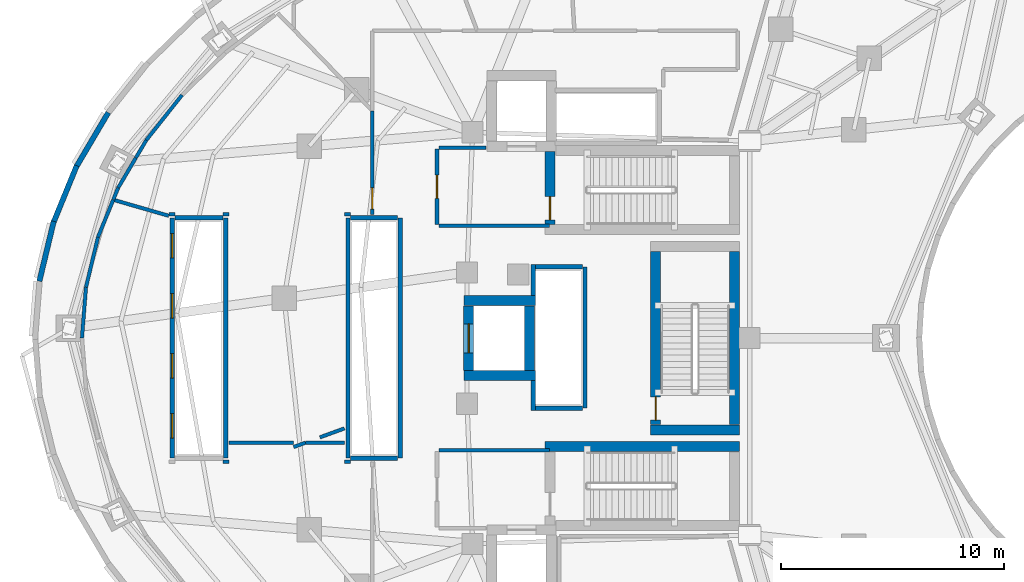
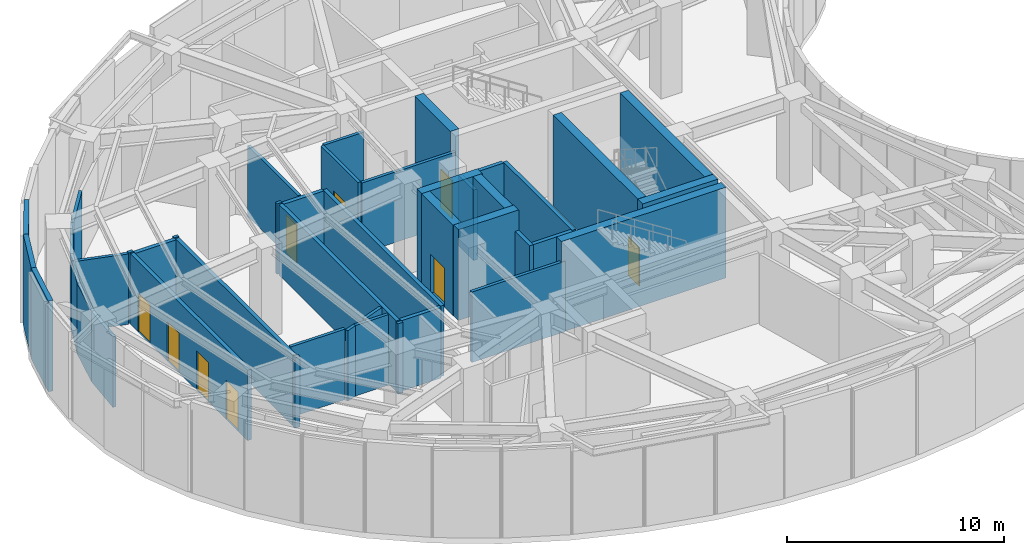
# One storey, part 5 of 10: 46 walls, 9 doors, 9 openings.
"""IFC4 building model written with IfcOpenShell, lengths in metres."""

from ifc_helpers import new_model, si_unit, direction, frame, frame_2d, origin, place, context, subcontext, project, spatial, rectangle, extrude, material, layer, layer_set, type_object, element, fill, save


model = new_model("IFC4")

# Units and contexts
model_context = context("Model", 3, precision=1e-05, world=origin(), true_north=direction((0.0, 1.0)))
body_context = subcontext(model_context, "Body", "Model", "MODEL_VIEW")
ifc_project = project(units=[si_unit("LENGTHUNIT", "METRE"), si_unit("AREAUNIT", "SQUARE_METRE"), si_unit("VOLUMEUNIT", "CUBIC_METRE"), si_unit("PLANEANGLEUNIT", "RADIAN"), si_unit("MASSUNIT", "GRAM", prefix="KILO")], contexts=[model_context])

# Site, building, storey
site_placement = place(None, origin())
site = spatial("IfcSite", under=ifc_project, at=site_placement, CompositionType="ELEMENT")
building_placement = place(site_placement, origin())
building = spatial("IfcBuilding", under=site, at=building_placement, Name="Korentha Bioscience Tower", CompositionType="ELEMENT")
storey_placement = place(building_placement, frame((0.0, 0.0, 84.60009765625)))
storey = spatial("IfcBuildingStorey", under=building, at=storey_placement, Name="L19", CompositionType="ELEMENT", Elevation=84.60009765625)

# Wall, opening, door
ifc_material_1 = material(Name="Gypsum-Clad Steel Stud", Category="steel")
ifc_layer_1 = layer(ifc_material_1, 0.159912109375, Name="Gypsum-Clad Steel Stud")
ifc_layer_set_1 = layer_set([ifc_layer_1], Name="Gypsum-Clad Steel Stud (IW-C160)")
wall_type_1 = type_object("IfcWallType", Name="Fire-Rated Corridor Partition Wall 160", PredefinedType="PARTITIONING", material=ifc_layer_set_1)
wall_1_placement = place(storey_placement, frame((23.5, 32.10009765625, 0.0), z_axis=(0.0, 0.0, 1.0), x_axis=(0.0, 1.0, 0.0)))
wall_1 = element("IfcWall", 1, at=wall_1_placement, inside=storey, type_object=wall_type_1, Name="L19 FFLN-CW Rated Enclosure Wall", PredefinedType="PARTITIONING", context=body_context, shape_type="SweptSolid", body=[
    extrude(rectangle(XDim=3.39990234375, YDim=0.159912109375, at=frame_2d((1.699951171875, 0.0))), origin(), (0.0, 0.0, 1.0), 3.9599609375),
])
opening_1_placement = place(wall_1_placement, frame((1.175048828125, 0.0, 0.0)))
opening_1 = element("IfcOpeningElement", 2, at=opening_1_placement, cuts=wall_1, Name="Opening FD-90R", PredefinedType="OPENING", context=body_context, shape_type="SweptSolid", body=[
    extrude(rectangle(XDim=1.050048828125, YDim=2.14990234375, at=frame_2d((0.52490234375, 1.074951171875))), frame((0.0, 0.0947265625, 0.0), z_axis=(0.0, -1.0, 0.0), x_axis=(1.0, 0.0, 0.0)), (0.0, 0.0, 1.0), 0.189697265625),
])
ifc_material_2 = material(Name="Powder-Coated Fire-Rated Steel", Category="steel")
door_type_1 = type_object("IfcDoorType", Name="Stairwell Fire Exit Door 1050x2150 Right", OperationType="SINGLE_SWING_RIGHT", PredefinedType="DOOR", material=ifc_material_2)
door_1_placement = place(opening_1_placement, origin())
door_1 = element("IfcDoor", 3, at=door_1_placement, inside=storey, type_object=door_type_1, Name="L19 North Firefighting Lobby Door", OperationType="SINGLE_SWING_RIGHT", OverallHeight=2.14990234375, OverallWidth=1.050048828125, PredefinedType="DOOR", context=body_context, shape_type="SweptSolid", body=[
    extrude(rectangle(XDim=1.050048828125, YDim=2.14990234375, at=frame_2d((0.52490234375, 1.074951171875))), frame((0.0, 0.02490234375, 0.0), z_axis=(0.0, -1.0, 0.0), x_axis=(1.0, 0.0, 0.0)), (0.0, 0.0, 1.0), 0.050048828125),
])
fill(opening_1, door_1)

# Walls
wall_2_placement = place(storey_placement, frame((23.580078125, 32.050048828125, 0.0), z_axis=(0.0, 0.0, 1.0), x_axis=(1.0, 0.0, 0.0)))
element("IfcWall", 4, at=wall_2_placement, inside=storey, type_object=wall_type_1, Name="L19 Firefighting Lobby Return Wall FFLN-S", PredefinedType="PARTITIONING", context=body_context, shape_type="SweptSolid", body=[
    extrude(rectangle(XDim=4.969970703125, YDim=0.159912109375, at=frame_2d((2.48486328125, 0.0))), origin(), (0.0, 0.0, 1.0), 3.9599609375),
])
wall_3_placement = place(storey_placement, frame((23.580078125, 35.550048828125, 0.0), z_axis=(0.0, 0.0, 1.0), x_axis=(1.0, 0.0, 0.0)))
element("IfcWall", 5, at=wall_3_placement, inside=storey, type_object=wall_type_1, Name="L19 Firefighting Lobby Return Wall FFLN-N", PredefinedType="PARTITIONING", context=body_context, shape_type="SweptSolid", body=[
    extrude(rectangle(XDim=2.119873046875, YDim=0.159912109375, at=frame_2d((1.06005859375, 0.0))), origin(), (0.0, 0.0, 1.0), 3.9599609375),
])
wall_4_placement = place(storey_placement, frame((23.580078125, 21.949951171875, 0.0), z_axis=(0.0, 0.0, 1.0), x_axis=(1.0, 0.0, 0.0)))
element("IfcWall", 6, at=wall_4_placement, inside=storey, type_object=wall_type_1, Name="L19 Firefighting Lobby Return Wall FFLS-N", PredefinedType="PARTITIONING", context=body_context, shape_type="SweptSolid", body=[
    extrude(rectangle(XDim=4.969970703125, YDim=0.159912109375, at=frame_2d((2.48486328125, 0.0))), origin(), (0.0, 0.0, 1.0), 3.9599609375),
])

# Wall, opening, door
wall_5_placement = place(storey_placement, frame((20.590087890625, 37.213623046875, 0.0), z_axis=(0.0, 0.0, 1.0), x_axis=(0.0, -1.0, 0.0)))
wall_5 = element("IfcWall", 7, at=wall_5_placement, inside=storey, type_object=wall_type_1, Name="L19 High-Plume Exhaust Scrubbing Air Plant 06 Entrance Wall", PredefinedType="PARTITIONING", context=body_context, shape_type="SweptSolid", body=[
    extrude(rectangle(XDim=4.653564453125, YDim=0.159912109375, at=frame_2d((2.32666015625, 0.0))), origin(), (0.0, 0.0, 1.0), 3.9599609375),
])
opening_2_placement = place(wall_5_placement, frame((3.463623046875, 0.0, 0.0)))
opening_2 = element("IfcOpeningElement", 8, at=opening_2_placement, cuts=wall_5, Name="Opening FD-120D", PredefinedType="OPENING", context=body_context, shape_type="SweptSolid", body=[
    extrude(rectangle(XDim=0.949951171875, YDim=2.14990234375, at=frame_2d((0.47509765625, 1.074951171875))), frame((0.0, 0.0947265625, 0.0), z_axis=(0.0, -1.0, 0.0), x_axis=(1.0, 0.0, 0.0)), (0.0, 0.0, 1.0), 0.189697265625),
])
ifc_material_3 = material(Name="Heavy-Duty Insulated Steel", Category="steel")
door_type_2 = type_object("IfcDoorType", Name="Plant & Riser Fire Door 950x2150 Left", OperationType="SINGLE_SWING_LEFT", PredefinedType="DOOR", material=ifc_material_3)
door_2_placement = place(opening_2_placement, origin())
door_2 = element("IfcDoor", 9, at=door_2_placement, inside=storey, type_object=door_type_2, Name="L19 High-Plume Exhaust Scrubbing Air Plant 06 Door", OperationType="SINGLE_SWING_LEFT", OverallHeight=2.14990234375, OverallWidth=0.949951171875, PredefinedType="DOOR", context=body_context, shape_type="SweptSolid", body=[
    extrude(rectangle(XDim=0.949951171875, YDim=2.14990234375, at=frame_2d((0.47509765625, 1.074951171875))), frame((0.0, 0.02490234375, 0.0), z_axis=(0.0, -1.0, 0.0), x_axis=(1.0, 0.0, 0.0)), (0.0, 0.0, 1.0), 0.050048828125),
])
fill(opening_2, door_2)

# Walls
wall_6_placement = place(storey_placement, frame((7.541015625, 27.0, 0.0), z_axis=(0.0, 0.0, 1.0), x_axis=(0.07910116698, 0.996866593573, 0.0)))
element("IfcWall", 10, at=wall_6_placement, inside=storey, type_object=wall_type_1, Name="L19 Interior Partition 007", PredefinedType="PARTITIONING", context=body_context, shape_type="SweptSolid", body=[
    extrude(rectangle(XDim=2.2900390625, YDim=0.159912109375, at=frame_2d((1.14501953125, 0.0))), origin(), (0.0, 0.0, 1.0), 3.9599609375),
])
wall_7_placement = place(storey_placement, frame((7.72216796875, 29.283203125, 0.0), z_axis=(0.0, 0.0, 1.0), x_axis=(0.233654937946, 0.972319582222, 0.0)))
element("IfcWall", 11, at=wall_7_placement, inside=storey, type_object=wall_type_1, Name="L19 Interior Partition 008", PredefinedType="PARTITIONING", context=body_context, shape_type="SweptSolid", body=[
    extrude(rectangle(XDim=2.324951171875, YDim=0.159912109375, at=frame_2d((1.16259765625, 0.0))), origin(), (0.0, 0.0, 1.0), 3.9599609375),
])
wall_8_placement = place(storey_placement, frame((8.265625, 31.5439453125, 0.0), z_axis=(0.0, 0.0, 1.0), x_axis=(0.378374816085, 0.925652471802, 0.0)))
element("IfcWall", 12, at=wall_8_placement, inside=storey, type_object=wall_type_1, Name="L19 Interior Partition 009", PredefinedType="PARTITIONING", context=body_context, shape_type="SweptSolid", body=[
    extrude(rectangle(XDim=1.805419921875, YDim=0.159912109375, at=frame_2d((0.90283203125, 0.0))), origin(), (0.0, 0.0, 1.0), 3.9599609375),
])
wall_9_placement = place(storey_placement, frame((8.948974609375, 33.215087890625, 0.0), z_axis=(0.0, 0.0, 1.0), x_axis=(0.960827931487, -0.277145604466, 0.0)))
element("IfcWall", 13, at=wall_9_placement, inside=storey, type_object=wall_type_1, Name="L19 Interior Partition 010", PredefinedType="PARTITIONING", context=body_context, shape_type="SweptSolid", body=[
    extrude(rectangle(XDim=2.592529296875, YDim=0.159912109375, at=frame_2d((1.29638671875, 0.0))), origin(), (0.0, 0.0, 1.0), 3.9599609375),
])
wall_10_placement = place(storey_placement, frame((13.8798828125, 21.43994140625, 0.0), z_axis=(0.0, 0.0, 1.0), x_axis=(1.0, 0.0, 0.0)))
element("IfcWall", 14, at=wall_10_placement, inside=storey, type_object=wall_type_1, Name="L19 Interior Partition 012", PredefinedType="PARTITIONING", context=body_context, shape_type="SweptSolid", body=[
    extrude(rectangle(XDim=0.27001953125, YDim=0.159912109375, at=frame_2d((0.135009765625, 0.0))), origin(), (0.0, 0.0, 1.0), 3.9599609375),
])
wall_11_placement = place(storey_placement, frame((14.16015625, 22.298095703125, 0.0), z_axis=(0.0, 0.0, 1.0), x_axis=(1.0, 0.0, 0.0)))
element("IfcWall", 15, at=wall_11_placement, inside=storey, type_object=wall_type_1, Name="L19 Interior Partition 013", PredefinedType="PARTITIONING", context=body_context, shape_type="SweptSolid", body=[
    extrude(rectangle(XDim=2.8876953125, YDim=0.159912109375, at=frame_2d((1.44384765625, 0.0))), origin(), (0.0, 0.0, 1.0), 3.9599609375),
])
wall_12_placement = place(storey_placement, frame((17.053466796875, 22.103759765625, 0.0), z_axis=(0.0, 0.0, 1.0), x_axis=(0.93978087077, 0.34177758109, 0.0)))
element("IfcWall", 16, at=wall_12_placement, inside=storey, type_object=wall_type_1, Name="L19 Interior Partition 014", PredefinedType="PARTITIONING", context=body_context, shape_type="SweptSolid", body=[
    extrude(rectangle(XDim=0.56787109375, YDim=0.159912109375, at=frame_2d((0.283935546875, 0.0))), origin(), (0.0, 0.0, 1.0), 3.9599609375),
])
wall_13_placement = place(storey_placement, frame((17.58740234375, 22.298095703125, 0.0), z_axis=(0.0, 0.0, 1.0), x_axis=(1.0, 0.0, 0.0)))
element("IfcWall", 17, at=wall_13_placement, inside=storey, type_object=wall_type_1, Name="L19 Interior Partition 015", PredefinedType="PARTITIONING", context=body_context, shape_type="SweptSolid", body=[
    extrude(rectangle(XDim=1.75244140625, YDim=0.159912109375, at=frame_2d((0.876220703125, 0.0))), origin(), (0.0, 0.0, 1.0), 3.9599609375),
])
wall_14_placement = place(storey_placement, frame((19.35009765625, 21.43994140625, 0.0), z_axis=(0.0, 0.0, 1.0), x_axis=(1.0, 0.0, 0.0)))
element("IfcWall", 18, at=wall_14_placement, inside=storey, type_object=wall_type_1, Name="L19 Interior Partition 016", PredefinedType="PARTITIONING", context=body_context, shape_type="SweptSolid", body=[
    extrude(rectangle(XDim=0.27001953125, YDim=0.159912109375, at=frame_2d((0.135009765625, 0.0))), origin(), (0.0, 0.0, 1.0), 3.9599609375),
])
wall_15_placement = place(storey_placement, frame((9.17041015625, 33.757080078125, 0.0), z_axis=(0.0, 0.0, 1.0), x_axis=(0.508116288895, 0.861288474879, 0.0)))
element("IfcWall", 19, at=wall_15_placement, inside=storey, type_object=wall_type_1, Name="L19 Interior Partition 065", PredefinedType="PARTITIONING", context=body_context, shape_type="SweptSolid", body=[
    extrude(rectangle(XDim=1.556640625, YDim=0.159912109375, at=frame_2d((0.7783203125, 0.0))), origin(), (0.0, 0.0, 1.0), 3.9599609375),
])
wall_16_placement = place(storey_placement, frame((9.964111328125, 35.102294921875, 0.0), z_axis=(0.0, 0.0, 1.0), x_axis=(0.508192213781, 0.861243678556, 0.0)))
element("IfcWall", 20, at=wall_16_placement, inside=storey, type_object=wall_type_1, Name="L19 Interior Partition 066", PredefinedType="PARTITIONING", context=body_context, shape_type="SweptSolid", body=[
    extrude(rectangle(XDim=0.9189453125, YDim=0.159912109375, at=frame_2d((0.45947265625, 0.0))), origin(), (0.0, 0.0, 1.0), 3.9599609375),
])
wall_17_placement = place(storey_placement, frame((10.431396484375, 35.894287109375, 0.0), z_axis=(0.0, 0.0, 1.0), x_axis=(0.621019334477, 0.783795245078, 0.0)))
element("IfcWall", 21, at=wall_17_placement, inside=storey, type_object=wall_type_1, Name="L19 Interior Partition 067", PredefinedType="PARTITIONING", context=body_context, shape_type="SweptSolid", body=[
    extrude(rectangle(XDim=2.5888671875, YDim=0.159912109375, at=frame_2d((1.29443359375, 0.0))), origin(), (0.0, 0.0, 1.0), 3.9599609375),
])
wall_18_placement = place(storey_placement, frame((19.6201171875, 32.56005859375, 0.0), z_axis=(0.0, 0.0, 1.0), x_axis=(-1.0, 0.0, 0.0)))
element("IfcWall", 22, at=wall_18_placement, inside=storey, type_object=wall_type_1, Name="L19 Interior Partition 071", PredefinedType="PARTITIONING", context=body_context, shape_type="SweptSolid", body=[
    extrude(rectangle(XDim=0.27001953125, YDim=0.159912109375, at=frame_2d((0.135009765625, 0.0))), origin(), (0.0, 0.0, 1.0), 3.9599609375),
])
wall_19_placement = place(storey_placement, frame((19.33984375, 22.940185546875, 0.0), z_axis=(0.0, 0.0, 1.0), x_axis=(-0.939714591609, -0.341959772952, 0.0)))
element("IfcWall", 23, at=wall_19_placement, inside=storey, type_object=wall_type_1, Name="L19 Interior Partition 072", PredefinedType="PARTITIONING", context=body_context, shape_type="SweptSolid", body=[
    extrude(rectangle(XDim=1.17578125, YDim=0.159912109375, at=frame_2d((0.587890625, 0.0))), origin(), (0.0, 0.0, 1.0), 3.9599609375),
])
wall_20_placement = place(storey_placement, frame((14.14990234375, 32.56005859375, 0.0), z_axis=(0.0, 0.0, 1.0), x_axis=(-1.0, 0.0, 0.0)))
element("IfcWall", 24, at=wall_20_placement, inside=storey, type_object=wall_type_1, Name="L19 Interior Partition 073", PredefinedType="PARTITIONING", context=body_context, shape_type="SweptSolid", body=[
    extrude(rectangle(XDim=0.27001953125, YDim=0.159912109375, at=frame_2d((0.135009765625, 0.0))), origin(), (0.0, 0.0, 1.0), 3.9599609375),
])
wall_21_placement = place(storey_placement, frame((11.719970703125, 32.56005859375, 0.0), z_axis=(0.0, 0.0, 1.0), x_axis=(-1.0, 0.0, 0.0)))
element("IfcWall", 25, at=wall_21_placement, inside=storey, type_object=wall_type_1, Name="L19 Interior Partition 074", PredefinedType="PARTITIONING", context=body_context, shape_type="SweptSolid", body=[
    extrude(rectangle(XDim=0.26171875, YDim=0.159912109375, at=frame_2d((0.130859375, 0.0))), origin(), (0.0, 0.0, 1.0), 3.9599609375),
])
wall_22_placement = place(storey_placement, frame((8.95263671875, 33.224609375, 0.0), z_axis=(0.0, 0.0, 1.0), x_axis=(0.378119955125, 0.925756609232, 0.0)))
element("IfcWall", 26, at=wall_22_placement, inside=storey, type_object=wall_type_1, Name="L19 Interior Partition 075", PredefinedType="PARTITIONING", context=body_context, shape_type="SweptSolid", body=[
    extrude(rectangle(XDim=0.57470703125, YDim=0.159912109375, at=frame_2d((0.287353515625, 0.0))), origin(), (0.0, 0.0, 1.0), 3.9599609375),
])

# Wall, openings, doors
ifc_material_4 = material(Name="Autoclaved Aerated Concrete Block C25", Category="concrete")
ifc_layer_2 = layer(ifc_material_4, 0.199951171875, Name="Autoclaved Aerated Concrete Block C25")
ifc_layer_set_2 = layer_set([ifc_layer_2], Name="Autoclaved Aerated Concrete Block C25 (IW-S200)")
wall_type_2 = type_object("IfcWallType", Name="Lift and Riser Shaft Enclosure Wall 200", PredefinedType="PARTITIONING", material=ifc_layer_set_2)
wall_23_placement = place(storey_placement, frame((11.60009765625, 21.60009765625, 0.0), z_axis=(0.0, 0.0, 1.0), x_axis=(0.0, 1.0, 0.0)))
wall_23 = element("IfcWall", 27, at=wall_23_placement, inside=storey, type_object=wall_type_2, Name="L19 Lift Bank LOW Shaft Wall -X", PredefinedType="PARTITIONING", context=body_context, shape_type="SweptSolid", body=[
    extrude(rectangle(XDim=10.7998046875, YDim=0.199951171875, at=frame_2d((5.39990234375, 0.0))), origin(), (0.0, 0.0, 1.0), 3.9599609375),
])
opening_3_placement = place(wall_23_placement, frame((0.89990234375, 0.0, 0.0)))
opening_3 = element("IfcOpeningElement", 28, at=opening_3_placement, cuts=wall_23, Name="Opening LD-11", PredefinedType="OPENING", context=body_context, shape_type="SweptSolid", body=[
    extrude(rectangle(XDim=1.10009765625, YDim=2.199951171875, at=frame_2d((0.550048828125, 1.10009765625))), frame((0.0, 0.11474609375, 0.0), z_axis=(0.0, -1.0, 0.0), x_axis=(1.0, 0.0, 0.0)), (0.0, 0.0, 1.0), 0.229736328125),
])
opening_4_placement = place(wall_23_placement, frame((3.60009765625, 0.0, 0.0)))
opening_4 = element("IfcOpeningElement", 29, at=opening_4_placement, cuts=wall_23, Name="Opening LD-11", PredefinedType="OPENING", context=body_context, shape_type="SweptSolid", body=[
    extrude(rectangle(XDim=1.10009765625, YDim=2.199951171875, at=frame_2d((0.550048828125, 1.10009765625))), frame((0.0, 0.11474609375, 0.0), z_axis=(0.0, -1.0, 0.0), x_axis=(1.0, 0.0, 0.0)), (0.0, 0.0, 1.0), 0.229736328125),
])
opening_5_placement = place(wall_23_placement, frame((6.300048828125, 0.0, 0.0)))
opening_5 = element("IfcOpeningElement", 30, at=opening_5_placement, cuts=wall_23, Name="Opening LD-11", PredefinedType="OPENING", context=body_context, shape_type="SweptSolid", body=[
    extrude(rectangle(XDim=1.10009765625, YDim=2.199951171875, at=frame_2d((0.550048828125, 1.10009765625))), frame((0.0, 0.11474609375, 0.0), z_axis=(0.0, -1.0, 0.0), x_axis=(1.0, 0.0, 0.0)), (0.0, 0.0, 1.0), 0.229736328125),
])
opening_6_placement = place(wall_23_placement, frame((9.0, 0.0, 0.0)))
opening_6 = element("IfcOpeningElement", 31, at=opening_6_placement, cuts=wall_23, Name="Opening LD-11", PredefinedType="OPENING", context=body_context, shape_type="SweptSolid", body=[
    extrude(rectangle(XDim=1.10009765625, YDim=2.199951171875, at=frame_2d((0.550048828125, 1.10009765625))), frame((0.0, 0.11474609375, 0.0), z_axis=(0.0, -1.0, 0.0), x_axis=(1.0, 0.0, 0.0)), (0.0, 0.0, 1.0), 0.229736328125),
])
ifc_material_5 = material(Name="Brushed Stainless Steel 304", Category="steel")
door_type_3 = type_object("IfcDoorType", Name="Passenger Lift Sliding Landing Door 1100x2200", OperationType="DOUBLE_DOOR_SLIDING", PredefinedType="DOOR", material=ifc_material_5)
door_3_placement = place(opening_3_placement, origin())
door_3 = element("IfcDoor", 32, at=door_3_placement, inside=storey, type_object=door_type_3, Name="L19 PL-L1 Sliding Lift Landing Door", OperationType="DOUBLE_DOOR_SLIDING", OverallHeight=2.199951171875, OverallWidth=1.10009765625, PredefinedType="DOOR", context=body_context, shape_type="SweptSolid", body=[
    extrude(rectangle(XDim=1.10009765625, YDim=2.199951171875, at=frame_2d((0.550048828125, 1.10009765625))), frame((0.0, 0.02490234375, 0.0), z_axis=(0.0, -1.0, 0.0), x_axis=(1.0, 0.0, 0.0)), (0.0, 0.0, 1.0), 0.050048828125),
])
fill(opening_3, door_3)
door_4_placement = place(opening_4_placement, origin())
door_4 = element("IfcDoor", 33, at=door_4_placement, inside=storey, type_object=door_type_3, Name="L19 PL-L2 Sliding Lift Landing Door", OperationType="DOUBLE_DOOR_SLIDING", OverallHeight=2.199951171875, OverallWidth=1.10009765625, PredefinedType="DOOR", context=body_context, shape_type="SweptSolid", body=[
    extrude(rectangle(XDim=1.10009765625, YDim=2.199951171875, at=frame_2d((0.550048828125, 1.10009765625))), frame((0.0, 0.02490234375, 0.0), z_axis=(0.0, -1.0, 0.0), x_axis=(1.0, 0.0, 0.0)), (0.0, 0.0, 1.0), 0.050048828125),
])
fill(opening_4, door_4)
door_5_placement = place(opening_5_placement, origin())
door_5 = element("IfcDoor", 34, at=door_5_placement, inside=storey, type_object=door_type_3, Name="L19 PL-L3 Sliding Lift Landing Door", OperationType="DOUBLE_DOOR_SLIDING", OverallHeight=2.199951171875, OverallWidth=1.10009765625, PredefinedType="DOOR", context=body_context, shape_type="SweptSolid", body=[
    extrude(rectangle(XDim=1.10009765625, YDim=2.199951171875, at=frame_2d((0.550048828125, 1.10009765625))), frame((0.0, 0.02490234375, 0.0), z_axis=(0.0, -1.0, 0.0), x_axis=(1.0, 0.0, 0.0)), (0.0, 0.0, 1.0), 0.050048828125),
])
fill(opening_5, door_5)
door_6_placement = place(opening_6_placement, origin())
door_6 = element("IfcDoor", 35, at=door_6_placement, inside=storey, type_object=door_type_3, Name="L19 PL-L4 Sliding Lift Landing Door", OperationType="DOUBLE_DOOR_SLIDING", OverallHeight=2.199951171875, OverallWidth=1.10009765625, PredefinedType="DOOR", context=body_context, shape_type="SweptSolid", body=[
    extrude(rectangle(XDim=1.10009765625, YDim=2.199951171875, at=frame_2d((0.550048828125, 1.10009765625))), frame((0.0, 0.02490234375, 0.0), z_axis=(0.0, -1.0, 0.0), x_axis=(1.0, 0.0, 0.0)), (0.0, 0.0, 1.0), 0.050048828125),
])
fill(opening_6, door_6)

# Walls
wall_24_placement = place(storey_placement, frame((14.0, 21.60009765625, 0.0), z_axis=(0.0, 0.0, 1.0), x_axis=(0.0, 1.0, 0.0)))
element("IfcWall", 36, at=wall_24_placement, inside=storey, type_object=wall_type_2, Name="L19 Lift Bank LOW Shaft Wall +X", PredefinedType="PARTITIONING", context=body_context, shape_type="SweptSolid", body=[
    extrude(rectangle(XDim=10.7998046875, YDim=0.199951171875, at=frame_2d((5.39990234375, 0.0))), origin(), (0.0, 0.0, 1.0), 3.9599609375),
])
wall_25_placement = place(storey_placement, frame((11.719970703125, 32.39990234375, 0.0), z_axis=(0.0, 0.0, 1.0), x_axis=(1.0, 0.0, 0.0)))
element("IfcWall", 37, at=wall_25_placement, inside=storey, type_object=wall_type_2, Name="L19 Lift Bank LOW Shaft Wall +Y", PredefinedType="PARTITIONING", context=body_context, shape_type="SweptSolid", body=[
    extrude(rectangle(XDim=2.159912109375, YDim=0.199951171875, at=frame_2d((1.080078125, 0.0))), origin(), (0.0, 0.0, 1.0), 3.9599609375),
])
for number, where, z_axis, x_axis, name in (
    (38, (19.5, 21.60009765625, 0.0), (0.0, 0.0, 1.0), (0.0, 1.0, 0.0), "L19 Lift Bank MID Shaft Wall -X"),
    (39, (21.85009765625, 21.60009765625, 0.0), (0.0, 0.0, 1.0), (0.0, 1.0, 0.0), "L19 Lift Bank MID Shaft Wall +X"),
):
    element("IfcWall", number, at=place(storey_placement, frame(where, z_axis=z_axis, x_axis=x_axis)), inside=storey, type_object=wall_type_2, Name=name, PredefinedType="PARTITIONING", context=body_context, shape_type="SweptSolid", body=[
        extrude(rectangle(XDim=10.7998046875, YDim=0.199951171875, at=frame_2d((5.39990234375, 0.0))), origin(), (0.0, 0.0, 1.0), 3.9599609375),
    ])
for number, where, z_axis, x_axis, name in (
    (40, (19.6201171875, 21.60009765625, 0.0), (0.0, 0.0, 1.0), (1.0, 0.0, 0.0), "L19 Lift Bank MID Shaft Wall -Y"),
    (41, (19.6201171875, 32.39990234375, 0.0), (0.0, 0.0, 1.0), (1.0, 0.0, 0.0), "L19 Lift Bank MID Shaft Wall +Y"),
):
    element("IfcWall", number, at=place(storey_placement, frame(where, z_axis=z_axis, x_axis=x_axis)), inside=storey, type_object=wall_type_2, Name=name, PredefinedType="PARTITIONING", context=body_context, shape_type="SweptSolid", body=[
        extrude(rectangle(XDim=2.10986328125, YDim=0.199951171875, at=frame_2d((1.054931640625, 0.0))), origin(), (0.0, 0.0, 1.0), 3.9599609375),
    ])
wall_26_placement = place(storey_placement, frame((27.830078125, 23.75, 0.0), z_axis=(0.0, 0.0, 1.0), x_axis=(0.0, 1.0, 0.0)))
element("IfcWall", 42, at=wall_26_placement, inside=storey, type_object=wall_type_2, Name="L19 Lift Bank HIGH Shaft Wall -XS", PredefinedType="PARTITIONING", context=body_context, shape_type="SweptSolid", body=[
    extrude(rectangle(XDim=1.341064453125, YDim=0.199951171875, at=frame_2d((0.67041015625, 0.0))), origin(), (0.0, 0.0, 1.0), 3.9599609375),
])
wall_27_placement = place(storey_placement, frame((27.830078125, 28.908935546875, 0.0), z_axis=(0.0, 0.0, 1.0), x_axis=(0.0, 1.0, 0.0)))
element("IfcWall", 43, at=wall_27_placement, inside=storey, type_object=wall_type_2, Name="L19 Lift Bank HIGH Shaft Wall -XN", PredefinedType="PARTITIONING", context=body_context, shape_type="SweptSolid", body=[
    extrude(rectangle(XDim=1.39111328125, YDim=0.199951171875, at=frame_2d((0.695556640625, 0.0))), origin(), (0.0, 0.0, 1.0), 3.9599609375),
])
wall_28_placement = place(storey_placement, frame((30.14990234375, 23.85009765625, 0.0), z_axis=(0.0, 0.0, 1.0), x_axis=(0.0, 1.0, 0.0)))
element("IfcWall", 44, at=wall_28_placement, inside=storey, type_object=wall_type_2, Name="L19 Lift Bank HIGH Shaft Wall +X", PredefinedType="PARTITIONING", context=body_context, shape_type="SweptSolid", body=[
    extrude(rectangle(XDim=6.349853515625, YDim=0.199951171875, at=frame_2d((3.1748046875, 0.0))), origin(), (0.0, 0.0, 1.0), 3.9599609375),
])
for number, where, z_axis, x_axis, name in (
    (45, (27.93408203125, 23.85009765625, 0.0), (0.0, 0.0, 1.0), (1.0, 0.0, 0.0), "L19 Lift Bank HIGH Shaft Wall -Y"),
    (46, (27.93408203125, 30.199951171875, 0.0), (0.0, 0.0, 1.0), (1.0, 0.0, 0.0), "L19 Lift Bank HIGH Shaft Wall +Y"),
):
    element("IfcWall", number, at=place(storey_placement, frame(where, z_axis=z_axis, x_axis=x_axis)), inside=storey, type_object=wall_type_2, Name=name, PredefinedType="PARTITIONING", context=body_context, shape_type="SweptSolid", body=[
        extrude(rectangle(XDim=2.095947265625, YDim=0.199951171875, at=frame_2d((1.0478515625, 0.0))), origin(), (0.0, 0.0, 1.0), 3.9599609375),
    ])

# Wall, opening, door
ifc_material_6 = material(Name="Concrete C80", Category="concrete")
ifc_layer_3 = layer(ifc_material_6, 0.449951171875, Name="Concrete C80")
ifc_layer_set_3 = layer_set([ifc_layer_3], Name="Concrete C80 (CW-C80)")
wall_type_3 = type_object("IfcWallType", Name="Lower Core Shear Wall 450", PredefinedType="SHEAR", material=ifc_layer_set_3)
wall_29_placement = place(storey_placement, frame((28.574951171875, 32.110107421875, 0.0), z_axis=(0.0, 0.0, 1.0), x_axis=(0.0, 1.0, 0.0)))
wall_29 = element("IfcWall", 47, at=wall_29_placement, inside=storey, type_object=wall_type_3, Name="L19 Core Shear Wall ST1-W", PredefinedType="SHEAR", context=body_context, shape_type="SweptSolid", body=[
    extrude(rectangle(XDim=3.282958984375, YDim=0.449951171875, at=frame_2d((1.6416015625, 0.0))), origin(), (0.0, 0.0, 1.0), 5.099853515625),
])
opening_7_placement = place(wall_29_placement, frame((0.199951171875, 0.0, 0.0)))
opening_7 = element("IfcOpeningElement", 48, at=opening_7_placement, cuts=wall_29, Name="Opening FD-90R", PredefinedType="OPENING", context=body_context, shape_type="SweptSolid", body=[
    extrude(rectangle(XDim=1.050048828125, YDim=2.14990234375, at=frame_2d((0.52490234375, 1.074951171875))), frame((0.0, 0.23974609375, 0.0), z_axis=(0.0, -1.0, 0.0), x_axis=(1.0, 0.0, 0.0)), (0.0, 0.0, 1.0), 0.479736328125),
])
door_7_placement = place(opening_7_placement, origin())
door_7 = element("IfcDoor", 49, at=door_7_placement, inside=storey, type_object=door_type_1, Name="L19 ST-1 Fire Exit Stair Door", OperationType="SINGLE_SWING_RIGHT", OverallHeight=2.14990234375, OverallWidth=1.050048828125, PredefinedType="DOOR", context=body_context, shape_type="SweptSolid", body=[
    extrude(rectangle(XDim=1.050048828125, YDim=2.14990234375, at=frame_2d((0.52490234375, 1.074951171875))), frame((0.0, 0.02490234375, 0.0), z_axis=(0.0, -1.0, 0.0), x_axis=(1.0, 0.0, 0.0)), (0.0, 0.0, 1.0), 0.050048828125),
])
fill(opening_7, door_7)

# Walls
wall_30_placement = place(storey_placement, frame((28.35009765625, 22.125, 0.0), z_axis=(0.0, 0.0, 1.0), x_axis=(1.0, 0.0, 0.0)))
element("IfcWall", 50, at=wall_30_placement, inside=storey, type_object=wall_type_3, Name="L19 Core Shear Wall ST2-N", PredefinedType="SHEAR", context=body_context, shape_type="SweptSolid", body=[
    extrude(rectangle(XDim=8.75, YDim=0.449951171875, at=frame_2d((4.375, 0.0))), origin(), (0.0, 0.0, 1.0), 5.099853515625),
])
wall_31_placement = place(storey_placement, frame((33.10009765625, 22.875, 0.0), z_axis=(0.0, 0.0, 1.0), x_axis=(1.0, 0.0, 0.0)))
element("IfcWall", 51, at=wall_31_placement, inside=storey, type_object=wall_type_3, Name="L19 Core Shear Wall ST3-S", PredefinedType="SHEAR", context=body_context, shape_type="SweptSolid", body=[
    extrude(rectangle(XDim=4.0, YDim=0.449951171875, at=frame_2d((2.0, 0.0))), origin(), (0.0, 0.0, 1.0), 5.099853515625),
])
wall_32_placement = place(storey_placement, frame((36.875, 23.110107421875, 0.0), z_axis=(0.0, 0.0, 1.0), x_axis=(0.0, 1.0, 0.0)))
element("IfcWall", 52, at=wall_32_placement, inside=storey, type_object=wall_type_3, Name="L19 Core Shear Wall ST3-E", PredefinedType="SHEAR", context=body_context, shape_type="SweptSolid", body=[
    extrude(rectangle(XDim=7.77978515625, YDim=0.449951171875, at=frame_2d((3.889892578125, 0.0))), origin(), (0.0, 0.0, 1.0), 5.099853515625),
])

# Wall, opening, door
wall_33_placement = place(storey_placement, frame((33.324951171875, 23.110107421875, 0.0), z_axis=(0.0, 0.0, 1.0), x_axis=(0.0, 1.0, 0.0)))
wall_33 = element("IfcWall", 53, at=wall_33_placement, inside=storey, type_object=wall_type_3, Name="L19 Core Shear Wall ST3-W", PredefinedType="SHEAR", context=body_context, shape_type="SweptSolid", body=[
    extrude(rectangle(XDim=7.77978515625, YDim=0.449951171875, at=frame_2d((3.889892578125, 0.0))), origin(), (0.0, 0.0, 1.0), 5.099853515625),
])
opening_8_placement = place(wall_33_placement, frame((0.199951171875, 0.0, 0.0)))
opening_8 = element("IfcOpeningElement", 54, at=opening_8_placement, cuts=wall_33, Name="Opening FD-90R", PredefinedType="OPENING", context=body_context, shape_type="SweptSolid", body=[
    extrude(rectangle(XDim=1.050048828125, YDim=2.14990234375, at=frame_2d((0.52490234375, 1.074951171875))), frame((0.0, 0.23974609375, 0.0), z_axis=(0.0, -1.0, 0.0), x_axis=(1.0, 0.0, 0.0)), (0.0, 0.0, 1.0), 0.479736328125),
])
door_8_placement = place(opening_8_placement, origin())
door_8 = element("IfcDoor", 55, at=door_8_placement, inside=storey, type_object=door_type_1, Name="L19 ST-3 Fire Exit Stair Door", OperationType="SINGLE_SWING_RIGHT", OverallHeight=2.14990234375, OverallWidth=1.050048828125, PredefinedType="DOOR", context=body_context, shape_type="SweptSolid", body=[
    extrude(rectangle(XDim=1.050048828125, YDim=2.14990234375, at=frame_2d((0.52490234375, 1.074951171875))), frame((0.0, 0.02490234375, 0.0), z_axis=(0.0, -1.0, 0.0), x_axis=(1.0, 0.0, 0.0)), (0.0, 0.0, 1.0), 0.050048828125),
])
fill(opening_8, door_8)

# Walls
for number, where, z_axis, x_axis, name in (
    (56, (24.719970703125, 28.679931640625, 0.0), (0.0, 0.0, 1.0), (1.0, 0.0, 0.0), "L19 Core Shear Wall SVL1-N"),
    (57, (24.719970703125, 25.320068359375, 0.0), (0.0, 0.0, 1.0), (1.0, 0.0, 0.0), "L19 Core Shear Wall SVL1-S"),
):
    element("IfcWall", number, at=place(storey_placement, frame(where, z_axis=z_axis, x_axis=x_axis)), inside=storey, type_object=wall_type_3, Name=name, PredefinedType="SHEAR", context=body_context, shape_type="SweptSolid", body=[
        extrude(rectangle(XDim=3.2099609375, YDim=0.449951171875, at=frame_2d((1.60498046875, 0.0))), origin(), (0.0, 0.0, 1.0), 5.099853515625),
    ])

# Wall, opening, door
wall_34_placement = place(storey_placement, frame((24.919921875, 25.547119140625, 0.0), z_axis=(0.0, 0.0, 1.0), x_axis=(0.0, 1.0, 0.0)))
wall_34 = element("IfcWall", 58, at=wall_34_placement, inside=storey, type_object=wall_type_3, Name="L19 Core Shear Wall SVL1-W", PredefinedType="SHEAR", context=body_context, shape_type="SweptSolid", body=[
    extrude(rectangle(XDim=2.90576171875, YDim=0.449951171875, at=frame_2d((1.452880859375, 0.0))), origin(), (0.0, 0.0, 1.0), 5.099853515625),
])
opening_9_placement = place(wall_34_placement, frame((0.7900390625, 0.0, 0.0)))
opening_9 = element("IfcOpeningElement", 59, at=opening_9_placement, cuts=wall_34, Name="Opening LD-13", PredefinedType="OPENING", context=body_context, shape_type="SweptSolid", body=[
    extrude(rectangle(XDim=1.300048828125, YDim=2.199951171875, at=frame_2d((0.64990234375, 1.10009765625))), frame((0.0, 0.23974609375, 0.0), z_axis=(0.0, -1.0, 0.0), x_axis=(1.0, 0.0, 0.0)), (0.0, 0.0, 1.0), 0.479736328125),
])
ifc_material_7 = material(Name="Brushed Stainless Steel 316", Category="steel")
door_type_4 = type_object("IfcDoorType", Name="Service & Firefighting Lift Landing Door 1300x2300", OperationType="DOUBLE_DOOR_SLIDING", PredefinedType="DOOR", material=ifc_material_7)
door_9_placement = place(opening_9_placement, origin())
door_9 = element("IfcDoor", 60, at=door_9_placement, inside=storey, type_object=door_type_4, Name="L19 SVL-1 Sliding Lift Landing Door", OperationType="DOUBLE_DOOR_SLIDING", OverallHeight=2.199951171875, OverallWidth=1.300048828125, PredefinedType="DOOR", context=body_context, shape_type="SweptSolid", body=[
    extrude(rectangle(XDim=1.300048828125, YDim=2.199951171875, at=frame_2d((0.64990234375, 1.10009765625))), frame((0.0, 0.02490234375, 0.0), z_axis=(0.0, -1.0, 0.0), x_axis=(1.0, 0.0, 0.0)), (0.0, 0.0, 1.0), 0.050048828125),
])
fill(opening_9, door_9)

# Walls
wall_35_placement = place(storey_placement, frame((27.64990234375, 25.547119140625, 0.0), z_axis=(0.0, 0.0, 1.0), x_axis=(0.0, 1.0, 0.0)))
element("IfcWall", 61, at=wall_35_placement, inside=storey, type_object=wall_type_3, Name="L19 Core Shear Wall SVL1-E", PredefinedType="SHEAR", context=body_context, shape_type="SweptSolid", body=[
    extrude(rectangle(XDim=2.90576171875, YDim=0.449951171875, at=frame_2d((1.452880859375, 0.0))), origin(), (0.0, 0.0, 1.0), 5.099853515625),
])
ifc_material_8 = material(Name="Insulated Precast Concrete C40", Category="concrete")
ifc_layer_4 = layer(ifc_material_8, 0.239990234375, Name="Insulated Precast Concrete C40")
ifc_layer_set_4 = layer_set([ifc_layer_4], Name="Insulated Precast Concrete C40 (EW-PL240)")
wall_type_4 = type_object("IfcWallType", Name="Plant Acoustic Louvre Backup Wall 240", PredefinedType="STANDARD", material=ifc_layer_set_4)
wall_36_placement = place(storey_placement, frame((8.725341796875, 37.135498046875, 0.0), z_axis=(0.0, 0.0, 1.0), x_axis=(-0.508169504761, -0.861257078015, 0.0)))
element("IfcWall", 62, at=wall_36_placement, inside=storey, type_object=wall_type_4, Name="L19 Plant Louvre Backup Wall 15", PredefinedType="STANDARD", context=body_context, shape_type="SweptSolid", body=[
    extrude(rectangle(XDim=2.89501953125, YDim=0.239990234375, at=frame_2d((1.447509765625, 0.0))), origin(), (0.0, 0.0, 1.0), 5.099853515625),
])
wall_37_placement = place(storey_placement, frame((7.30615234375, 34.7470703125, 0.0), z_axis=(0.0, 0.0, 1.0), x_axis=(-0.378332938431, -0.925669588837, 0.0)))
element("IfcWall", 63, at=wall_37_placement, inside=storey, type_object=wall_type_4, Name="L19 Plant Louvre Backup Wall 16", PredefinedType="STANDARD", context=body_context, shape_type="SweptSolid", body=[
    extrude(rectangle(XDim=2.8212890625, YDim=0.239990234375, at=frame_2d((1.41064453125, 0.0))), origin(), (0.0, 0.0, 1.0), 5.099853515625),
])
wall_38_placement = place(storey_placement, frame((6.27490234375, 32.247802734375, 0.0), z_axis=(0.0, 0.0, 1.0), x_axis=(-0.23368645227, -0.972312008578, 0.0)))
element("IfcWall", 64, at=wall_38_placement, inside=storey, type_object=wall_type_4, Name="L19 Plant Louvre Backup Wall 17", PredefinedType="STANDARD", context=body_context, shape_type="SweptSolid", body=[
    extrude(rectangle(XDim=2.7685546875, YDim=0.239990234375, at=frame_2d((1.38427734375, 0.0))), origin(), (0.0, 0.0, 1.0), 5.099853515625),
])

save(model, "model.ifc")
